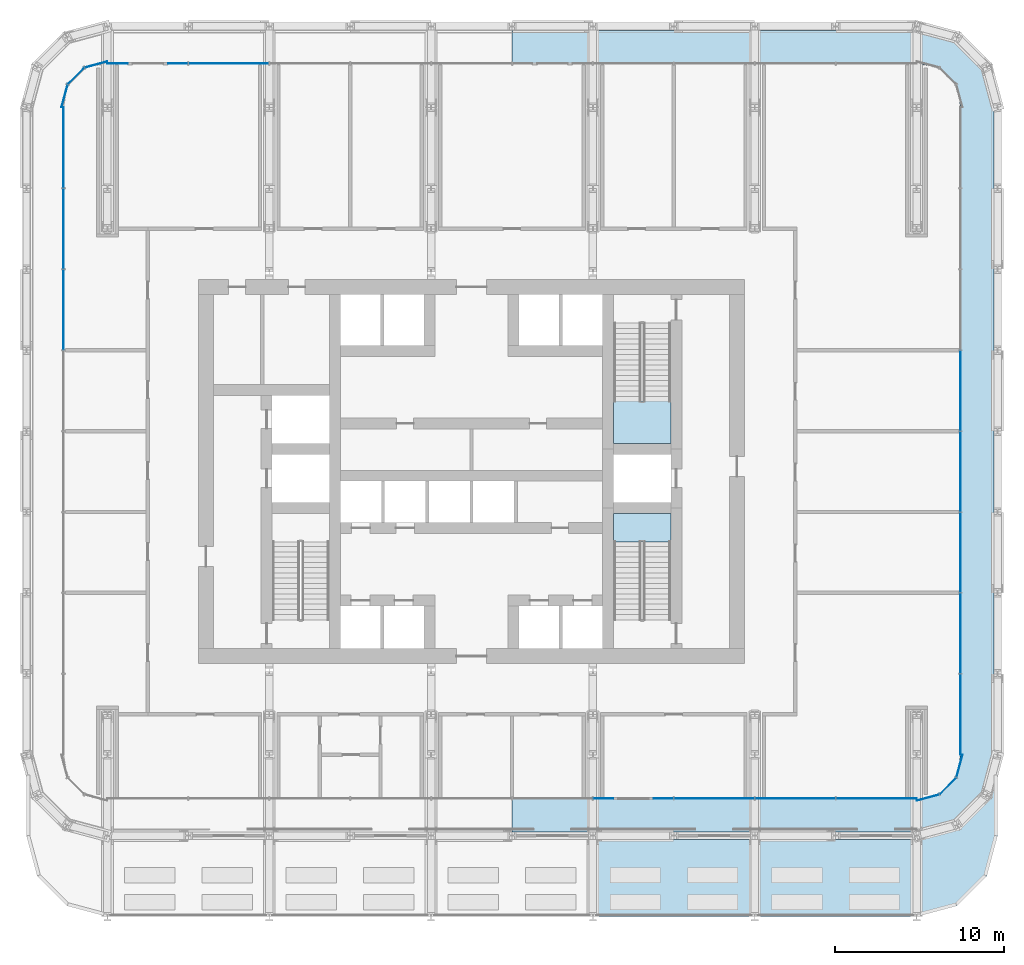
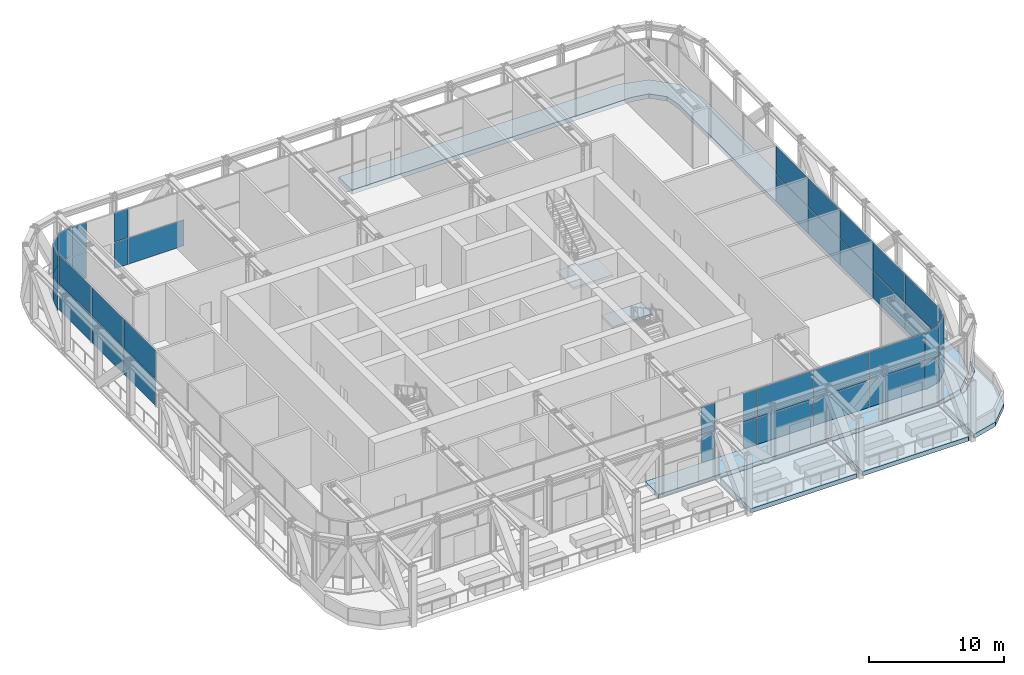
# One storey, part 13 of 23: 43 plates, 6 slabs, 8 elements without a shape of their own.
"""IFC4 building model written with IfcOpenShell, lengths in metres."""

from ifc_helpers import new_model, si_unit, direction, frame, origin, origin_2d, place, context, subcontext, project, spatial, polyline, rectangle, outline, extrude, material, layer, layer_set, type_object, element, aggregate, save


model = new_model("IFC4")

# Units and contexts
model_context = context("Model", 3, precision=1e-05, world=origin(), true_north=direction((0.0, 1.0)))
body_context = subcontext(model_context, "Body", "Model", "MODEL_VIEW")
ifc_project = project(units=[si_unit("LENGTHUNIT", "METRE"), si_unit("AREAUNIT", "SQUARE_METRE"), si_unit("VOLUMEUNIT", "CUBIC_METRE"), si_unit("PLANEANGLEUNIT", "RADIAN"), si_unit("MASSUNIT", "GRAM", prefix="KILO")], contexts=[model_context])

# Site, building, storey
site_placement = place(None, origin())
site = spatial("IfcSite", under=ifc_project, at=site_placement, CompositionType="ELEMENT")
building_placement = place(site_placement, origin())
building = spatial("IfcBuilding", under=site, at=building_placement, Name="Madar Terraces", CompositionType="ELEMENT")
storey_placement = place(building_placement, frame((0.0, 0.0, 83.800048828125)))
storey = spatial("IfcBuildingStorey", under=building, at=storey_placement, Name="L21", CompositionType="ELEMENT", Elevation=83.800048828125)

# Curtain wall, plates
ifc_material_1 = material(Name="Glass, ceramic frit dark grey, with black aluminium frame", Category="aluminium")
ifc_layer_1 = layer(ifc_material_1, 0.199951171875)
ifc_layer_set_1 = layer_set([ifc_layer_1], Name="Facade curtain wall, tall glazing")
curtain_wall_type = type_object("IfcCurtainWallType", Name="Facade curtain wall, tall glazing", PredefinedType="NOTDEFINED", material=ifc_layer_set_1)
curtain_wall_1_placement = place(storey_placement, origin())
curtain_wall_1 = element("IfcCurtainWall", 1, at=curtain_wall_1_placement, inside=storey, type_object=curtain_wall_type, Name="Outer skin curtain wall south bay 1", PredefinedType="NOTDEFINED")
ifc_material_2 = material(Name="Glass, ceramic frit dark grey", Category="glass")
ifc_layer_2 = layer(ifc_material_2, 0.028076171875)
ifc_layer_set_2 = layer_set([ifc_layer_2], Name="Facade glass panel 28")
plate_type = type_object("IfcPlateType", Name="Facade glass panel 28", PredefinedType="CURTAIN_PANEL", material=ifc_layer_set_2)
plate_1_placement = place(storey_placement, frame((39.014892578125, 7.0, 0.0), z_axis=(0.0, 0.0, 1.0), x_axis=(1.0, 0.0, 0.0)))
plate_1 = element("IfcPlate", 2, at=plate_1_placement, type_object=plate_type, Name="Panel 13", PredefinedType="CURTAIN_PANEL", context=body_context, shape_type="SweptSolid", body=[
    extrude(rectangle(XDim=1.169921875, YDim=0.028076171875, at=origin_2d()), origin(), (0.0, 0.0, 1.0), 2.3701171875),
])
plate_2_placement = place(storey_placement, frame((39.014892578125, 7.0, 2.4296875), z_axis=(0.0, 0.0, 1.0), x_axis=(1.0, 0.0, 0.0)))
plate_2 = element("IfcPlate", 3, at=plate_2_placement, type_object=plate_type, Name="Panel 14", PredefinedType="CURTAIN_PANEL", context=body_context, shape_type="SweptSolid", body=[
    extrude(rectangle(XDim=1.169921875, YDim=0.028076171875, at=origin_2d()), origin(), (0.0, 0.0, 1.0), 2.610107421875),
])
plate_3_placement = place(storey_placement, frame((42.5849609375, 7.0, 0.0), z_axis=(0.0, 0.0, 1.0), x_axis=(1.0, 0.0, 0.0)))
plate_3 = element("IfcPlate", 4, at=plate_3_placement, type_object=plate_type, Name="Panel 15", PredefinedType="CURTAIN_PANEL", context=body_context, shape_type="SweptSolid", body=[
    extrude(rectangle(XDim=1.169921875, YDim=0.028076171875, at=origin_2d()), origin(), (0.0, 0.0, 1.0), 2.3701171875),
])
plate_4_placement = place(storey_placement, frame((42.5849609375, 7.0, 2.4296875), z_axis=(0.0, 0.0, 1.0), x_axis=(1.0, 0.0, 0.0)))
plate_4 = element("IfcPlate", 5, at=plate_4_placement, type_object=plate_type, Name="Panel 16", PredefinedType="CURTAIN_PANEL", context=body_context, shape_type="SweptSolid", body=[
    extrude(rectangle(XDim=1.169921875, YDim=0.028076171875, at=origin_2d()), origin(), (0.0, 0.0, 1.0), 2.610107421875),
])
plate_5_placement = place(storey_placement, frame((45.60009765625, 7.0, 0.0), z_axis=(0.0, 0.0, 1.0), x_axis=(1.0, 0.0, 0.0)))
plate_5 = element("IfcPlate", 6, at=plate_5_placement, type_object=plate_type, Name="Panel 17", PredefinedType="CURTAIN_PANEL", context=body_context, shape_type="SweptSolid", body=[
    extrude(rectangle(XDim=4.739990234375, YDim=0.028076171875, at=origin_2d()), origin(), (0.0, 0.0, 1.0), 2.3701171875),
])
plate_6_placement = place(storey_placement, frame((45.60009765625, 7.0, 2.4296875), z_axis=(0.0, 0.0, 1.0), x_axis=(1.0, 0.0, 0.0)))
plate_6 = element("IfcPlate", 7, at=plate_6_placement, type_object=plate_type, Name="Panel 18", PredefinedType="CURTAIN_PANEL", context=body_context, shape_type="SweptSolid", body=[
    extrude(rectangle(XDim=4.739990234375, YDim=0.028076171875, at=origin_2d()), origin(), (0.0, 0.0, 1.0), 2.610107421875),
])
plate_7_placement = place(storey_placement, frame((50.39990234375, 7.0, 0.0), z_axis=(0.0, 0.0, 1.0), x_axis=(1.0, 0.0, 0.0)))
plate_7 = element("IfcPlate", 8, at=plate_7_placement, type_object=plate_type, Name="Panel 19", PredefinedType="CURTAIN_PANEL", context=body_context, shape_type="SweptSolid", body=[
    extrude(rectangle(XDim=4.739990234375, YDim=0.028076171875, at=origin_2d()), origin(), (0.0, 0.0, 1.0), 2.3701171875),
])
plate_8_placement = place(storey_placement, frame((50.39990234375, 7.0, 2.4296875), z_axis=(0.0, 0.0, 1.0), x_axis=(1.0, 0.0, 0.0)))
plate_8 = element("IfcPlate", 9, at=plate_8_placement, type_object=plate_type, Name="Panel 20", PredefinedType="CURTAIN_PANEL", context=body_context, shape_type="SweptSolid", body=[
    extrude(rectangle(XDim=4.739990234375, YDim=0.028076171875, at=origin_2d()), origin(), (0.0, 0.0, 1.0), 2.610107421875),
])
plate_9_placement = place(storey_placement, frame((55.215087890625, 7.0, 0.0), z_axis=(0.0, 0.0, 1.0), x_axis=(1.0, 0.0, 0.0)))
plate_9 = element("IfcPlate", 10, at=plate_9_placement, type_object=plate_type, Name="Panel 21", PredefinedType="CURTAIN_PANEL", context=body_context, shape_type="SweptSolid", body=[
    extrude(rectangle(XDim=4.77001953125, YDim=0.028076171875, at=origin_2d()), origin(), (0.0, 0.0, 1.0), 2.3701171875),
])
plate_10_placement = place(storey_placement, frame((55.215087890625, 7.0, 2.4296875), z_axis=(0.0, 0.0, 1.0), x_axis=(1.0, 0.0, 0.0)))
plate_10 = element("IfcPlate", 11, at=plate_10_placement, type_object=plate_type, Name="Panel 22", PredefinedType="CURTAIN_PANEL", context=body_context, shape_type="SweptSolid", body=[
    extrude(rectangle(XDim=4.77001953125, YDim=0.028076171875, at=origin_2d()), origin(), (0.0, 0.0, 1.0), 2.610107421875),
])
aggregate(curtain_wall_1, [plate_1, plate_2, plate_3, plate_4, plate_5, plate_6, plate_7, plate_8, plate_9, plate_10])

curtain_wall_2_placement = place(storey_placement, origin())
curtain_wall_2 = element("IfcCurtainWall", 12, at=curtain_wall_2_placement, inside=storey, type_object=curtain_wall_type, Name="Outer skin curtain wall east bay 1", PredefinedType="NOTDEFINED")
plate_11_placement = place(storey_placement, frame((60.199951171875, 11.985107421875, 0.0), z_axis=(0.0, 0.0, 1.0), x_axis=(0.0, 1.0, 0.0)))
plate_11 = element("IfcPlate", 13, at=plate_11_placement, type_object=plate_type, Name="Panel 1", PredefinedType="CURTAIN_PANEL", context=body_context, shape_type="SweptSolid", body=[
    extrude(rectangle(XDim=4.77001953125, YDim=0.028076171875, at=origin_2d()), origin(), (0.0, 0.0, 1.0), 2.3701171875),
])
plate_12_placement = place(storey_placement, frame((60.199951171875, 11.985107421875, 2.4296875), z_axis=(0.0, 0.0, 1.0), x_axis=(0.0, 1.0, 0.0)))
plate_12 = element("IfcPlate", 14, at=plate_12_placement, type_object=plate_type, Name="Panel 2", PredefinedType="CURTAIN_PANEL", context=body_context, shape_type="SweptSolid", body=[
    extrude(rectangle(XDim=4.77001953125, YDim=0.028076171875, at=origin_2d()), origin(), (0.0, 0.0, 1.0), 2.610107421875),
])
plate_13_placement = place(storey_placement, frame((60.199951171875, 16.800048828125, 0.0), z_axis=(0.0, 0.0, 1.0), x_axis=(0.0, 1.0, 0.0)))
plate_13 = element("IfcPlate", 15, at=plate_13_placement, type_object=plate_type, Name="Panel 3", PredefinedType="CURTAIN_PANEL", context=body_context, shape_type="SweptSolid", body=[
    extrude(rectangle(XDim=4.739990234375, YDim=0.028076171875, at=origin_2d()), origin(), (0.0, 0.0, 1.0), 2.3701171875),
])
plate_14_placement = place(storey_placement, frame((60.199951171875, 16.800048828125, 2.4296875), z_axis=(0.0, 0.0, 1.0), x_axis=(0.0, 1.0, 0.0)))
plate_14 = element("IfcPlate", 16, at=plate_14_placement, type_object=plate_type, Name="Panel 4", PredefinedType="CURTAIN_PANEL", context=body_context, shape_type="SweptSolid", body=[
    extrude(rectangle(XDim=4.739990234375, YDim=0.028076171875, at=origin_2d()), origin(), (0.0, 0.0, 1.0), 2.610107421875),
])
plate_15_placement = place(storey_placement, frame((60.199951171875, 21.60009765625, 0.0), z_axis=(0.0, 0.0, 1.0), x_axis=(0.0, 1.0, 0.0)))
plate_15 = element("IfcPlate", 17, at=plate_15_placement, type_object=plate_type, Name="Panel 5", PredefinedType="CURTAIN_PANEL", context=body_context, shape_type="SweptSolid", body=[
    extrude(rectangle(XDim=4.739990234375, YDim=0.028076171875, at=origin_2d()), origin(), (0.0, 0.0, 1.0), 2.3701171875),
])
plate_16_placement = place(storey_placement, frame((60.199951171875, 21.60009765625, 2.4296875), z_axis=(0.0, 0.0, 1.0), x_axis=(0.0, 1.0, 0.0)))
plate_16 = element("IfcPlate", 18, at=plate_16_placement, type_object=plate_type, Name="Panel 6", PredefinedType="CURTAIN_PANEL", context=body_context, shape_type="SweptSolid", body=[
    extrude(rectangle(XDim=4.739990234375, YDim=0.028076171875, at=origin_2d()), origin(), (0.0, 0.0, 1.0), 2.610107421875),
])
plate_17_placement = place(storey_placement, frame((60.199951171875, 26.39990234375, 0.0), z_axis=(0.0, 0.0, 1.0), x_axis=(0.0, 1.0, 0.0)))
plate_17 = element("IfcPlate", 19, at=plate_17_placement, type_object=plate_type, Name="Panel 7", PredefinedType="CURTAIN_PANEL", context=body_context, shape_type="SweptSolid", body=[
    extrude(rectangle(XDim=4.739990234375, YDim=0.028076171875, at=origin_2d()), origin(), (0.0, 0.0, 1.0), 2.3701171875),
])
plate_18_placement = place(storey_placement, frame((60.199951171875, 26.39990234375, 2.4296875), z_axis=(0.0, 0.0, 1.0), x_axis=(0.0, 1.0, 0.0)))
plate_18 = element("IfcPlate", 20, at=plate_18_placement, type_object=plate_type, Name="Panel 8", PredefinedType="CURTAIN_PANEL", context=body_context, shape_type="SweptSolid", body=[
    extrude(rectangle(XDim=4.739990234375, YDim=0.028076171875, at=origin_2d()), origin(), (0.0, 0.0, 1.0), 2.610107421875),
])
plate_19_placement = place(storey_placement, frame((60.199951171875, 31.199951171875, 0.0), z_axis=(0.0, 0.0, 1.0), x_axis=(0.0, 1.0, 0.0)))
plate_19 = element("IfcPlate", 21, at=plate_19_placement, type_object=plate_type, Name="Panel 9", PredefinedType="CURTAIN_PANEL", context=body_context, shape_type="SweptSolid", body=[
    extrude(rectangle(XDim=4.739990234375, YDim=0.028076171875, at=origin_2d()), origin(), (0.0, 0.0, 1.0), 2.3701171875),
])
plate_20_placement = place(storey_placement, frame((60.199951171875, 31.199951171875, 2.4296875), z_axis=(0.0, 0.0, 1.0), x_axis=(0.0, 1.0, 0.0)))
plate_20 = element("IfcPlate", 22, at=plate_20_placement, type_object=plate_type, Name="Panel 10", PredefinedType="CURTAIN_PANEL", context=body_context, shape_type="SweptSolid", body=[
    extrude(rectangle(XDim=4.739990234375, YDim=0.028076171875, at=origin_2d()), origin(), (0.0, 0.0, 1.0), 2.610107421875),
])
aggregate(curtain_wall_2, [plate_11, plate_12, plate_13, plate_14, plate_15, plate_16, plate_17, plate_18, plate_19, plate_20])

curtain_wall_3_placement = place(storey_placement, origin())
curtain_wall_3 = element("IfcCurtainWall", 23, at=curtain_wall_3_placement, inside=storey, type_object=curtain_wall_type, Name="Outer skin curtain wall north bay 1", PredefinedType="NOTDEFINED")
plate_21_placement = place(storey_placement, frame((16.800048828125, 50.60009765625, 0.0), z_axis=(0.0, 0.0, 1.0), x_axis=(-1.0, 0.0, 0.0)))
plate_21 = element("IfcPlate", 24, at=plate_21_placement, type_object=plate_type, Name="Panel 19", PredefinedType="CURTAIN_PANEL", context=body_context, shape_type="SweptSolid", body=[
    extrude(rectangle(XDim=4.739990234375, YDim=0.028076171875, at=origin_2d()), origin(), (0.0, 0.0, 1.0), 2.3701171875),
])
plate_22_placement = place(storey_placement, frame((13.784912109375, 50.60009765625, 0.0), z_axis=(0.0, 0.0, 1.0), x_axis=(-1.0, 0.0, 0.0)))
plate_22 = element("IfcPlate", 25, at=plate_22_placement, type_object=plate_type, Name="Panel 21", PredefinedType="CURTAIN_PANEL", context=body_context, shape_type="SweptSolid", body=[
    extrude(rectangle(XDim=1.169921875, YDim=0.028076171875, at=origin_2d()), origin(), (0.0, 0.0, 1.0), 2.3701171875),
])
plate_23_placement = place(storey_placement, frame((13.784912109375, 50.60009765625, 2.4296875), z_axis=(0.0, 0.0, 1.0), x_axis=(-1.0, 0.0, 0.0)))
plate_23 = element("IfcPlate", 26, at=plate_23_placement, type_object=plate_type, Name="Panel 22", PredefinedType="CURTAIN_PANEL", context=body_context, shape_type="SweptSolid", body=[
    extrude(rectangle(XDim=1.169921875, YDim=0.028076171875, at=origin_2d()), origin(), (0.0, 0.0, 1.0), 2.610107421875),
])
plate_24_placement = place(storey_placement, frame((10.199951171875, 50.60009765625, 0.0), z_axis=(0.0, 0.0, 1.0), x_axis=(-1.0, 0.0, 0.0)))
plate_24 = element("IfcPlate", 27, at=plate_24_placement, type_object=plate_type, Name="Panel 23", PredefinedType="CURTAIN_PANEL", context=body_context, shape_type="SweptSolid", body=[
    extrude(rectangle(XDim=1.199951171875, YDim=0.028076171875, at=origin_2d()), origin(), (0.0, 0.0, 1.0), 2.3701171875),
])
plate_25_placement = place(storey_placement, frame((10.199951171875, 50.60009765625, 2.4296875), z_axis=(0.0, 0.0, 1.0), x_axis=(-1.0, 0.0, 0.0)))
plate_25 = element("IfcPlate", 28, at=plate_25_placement, type_object=plate_type, Name="Panel 24", PredefinedType="CURTAIN_PANEL", context=body_context, shape_type="SweptSolid", body=[
    extrude(rectangle(XDim=1.199951171875, YDim=0.028076171875, at=origin_2d()), origin(), (0.0, 0.0, 1.0), 2.610107421875),
])
aggregate(curtain_wall_3, [plate_21, plate_22, plate_23, plate_24, plate_25])

curtain_wall_4_placement = place(storey_placement, origin())
curtain_wall_4 = element("IfcCurtainWall", 29, at=curtain_wall_4_placement, inside=storey, type_object=curtain_wall_type, Name="Outer skin curtain wall west bay 1", PredefinedType="NOTDEFINED")
plate_26_placement = place(storey_placement, frame((7.0, 45.614990234375, 0.0), z_axis=(0.0, 0.0, 1.0), x_axis=(0.0, -1.0, 0.0)))
plate_26 = element("IfcPlate", 30, at=plate_26_placement, type_object=plate_type, Name="Panel 1", PredefinedType="CURTAIN_PANEL", context=body_context, shape_type="SweptSolid", body=[
    extrude(rectangle(XDim=4.77001953125, YDim=0.028076171875, at=origin_2d()), origin(), (0.0, 0.0, 1.0), 2.3701171875),
])
plate_27_placement = place(storey_placement, frame((7.0, 45.614990234375, 2.4296875), z_axis=(0.0, 0.0, 1.0), x_axis=(0.0, -1.0, 0.0)))
plate_27 = element("IfcPlate", 31, at=plate_27_placement, type_object=plate_type, Name="Panel 2", PredefinedType="CURTAIN_PANEL", context=body_context, shape_type="SweptSolid", body=[
    extrude(rectangle(XDim=4.77001953125, YDim=0.028076171875, at=origin_2d()), origin(), (0.0, 0.0, 1.0), 2.610107421875),
])
plate_28_placement = place(storey_placement, frame((7.0, 40.800048828125, 0.0), z_axis=(0.0, 0.0, 1.0), x_axis=(0.0, -1.0, 0.0)))
plate_28 = element("IfcPlate", 32, at=plate_28_placement, type_object=plate_type, Name="Panel 3", PredefinedType="CURTAIN_PANEL", context=body_context, shape_type="SweptSolid", body=[
    extrude(rectangle(XDim=4.739990234375, YDim=0.028076171875, at=origin_2d()), origin(), (0.0, 0.0, 1.0), 2.3701171875),
])
plate_29_placement = place(storey_placement, frame((7.0, 40.800048828125, 2.4296875), z_axis=(0.0, 0.0, 1.0), x_axis=(0.0, -1.0, 0.0)))
plate_29 = element("IfcPlate", 33, at=plate_29_placement, type_object=plate_type, Name="Panel 4", PredefinedType="CURTAIN_PANEL", context=body_context, shape_type="SweptSolid", body=[
    extrude(rectangle(XDim=4.739990234375, YDim=0.028076171875, at=origin_2d()), origin(), (0.0, 0.0, 1.0), 2.610107421875),
])
plate_30_placement = place(storey_placement, frame((7.0, 36.0, 0.0), z_axis=(0.0, 0.0, 1.0), x_axis=(0.0, -1.0, 0.0)))
plate_30 = element("IfcPlate", 34, at=plate_30_placement, type_object=plate_type, Name="Panel 5", PredefinedType="CURTAIN_PANEL", context=body_context, shape_type="SweptSolid", body=[
    extrude(rectangle(XDim=4.739990234375, YDim=0.028076171875, at=origin_2d()), origin(), (0.0, 0.0, 1.0), 2.3701171875),
])
plate_31_placement = place(storey_placement, frame((7.0, 36.0, 2.4296875), z_axis=(0.0, 0.0, 1.0), x_axis=(0.0, -1.0, 0.0)))
plate_31 = element("IfcPlate", 35, at=plate_31_placement, type_object=plate_type, Name="Panel 6", PredefinedType="CURTAIN_PANEL", context=body_context, shape_type="SweptSolid", body=[
    extrude(rectangle(XDim=4.739990234375, YDim=0.028076171875, at=origin_2d()), origin(), (0.0, 0.0, 1.0), 2.610107421875),
])
aggregate(curtain_wall_4, [plate_26, plate_27, plate_28, plate_29, plate_30, plate_31])

curtain_wall_5_placement = place(storey_placement, origin())
curtain_wall_5 = element("IfcCurtainWall", 36, at=curtain_wall_5_placement, inside=storey, type_object=curtain_wall_type, Name="Outer skin curtain wall south-east corner", PredefinedType="NOTDEFINED")
plate_32_placement = place(storey_placement, frame((58.265625, 7.058349609375, 0.0), z_axis=(0.0, 0.0, 1.0), x_axis=(0.965925808834, 0.258819110244, 0.0)))
plate_32 = element("IfcPlate", 37, at=plate_32_placement, type_object=plate_type, Name="Panel 1", PredefinedType="CURTAIN_PANEL", context=body_context, shape_type="SweptSolid", body=[
    extrude(rectangle(XDim=1.3779296875, YDim=0.028076171875, at=origin_2d()), origin(), (0.0, 0.0, 1.0), 2.3701171875),
])
plate_33_placement = place(storey_placement, frame((58.265625, 7.058349609375, 2.4296875), z_axis=(0.0, 0.0, 1.0), x_axis=(0.965925808834, 0.258819110244, 0.0)))
plate_33 = element("IfcPlate", 38, at=plate_33_placement, type_object=plate_type, Name="Panel 2", PredefinedType="CURTAIN_PANEL", context=body_context, shape_type="SweptSolid", body=[
    extrude(rectangle(XDim=1.3779296875, YDim=0.028076171875, at=origin_2d()), origin(), (0.0, 0.0, 1.0), 2.610107421875),
])
plate_34_placement = place(storey_placement, frame((59.457763671875, 7.7421875, 0.0), z_axis=(0.0, 0.0, 1.0), x_axis=(0.707106781187, 0.707106781187, 0.0)))
plate_34 = element("IfcPlate", 39, at=plate_34_placement, type_object=plate_type, Name="Panel 3", PredefinedType="CURTAIN_PANEL", context=body_context, shape_type="SweptSolid", body=[
    extrude(rectangle(XDim=1.347900390625, YDim=0.028076171875, at=origin_2d()), origin(), (0.0, 0.0, 1.0), 2.3701171875),
])
plate_35_placement = place(storey_placement, frame((59.457763671875, 7.7421875, 2.4296875), z_axis=(0.0, 0.0, 1.0), x_axis=(0.707106781187, 0.707106781187, 0.0)))
plate_35 = element("IfcPlate", 40, at=plate_35_placement, type_object=plate_type, Name="Panel 4", PredefinedType="CURTAIN_PANEL", context=body_context, shape_type="SweptSolid", body=[
    extrude(rectangle(XDim=1.347900390625, YDim=0.028076171875, at=origin_2d()), origin(), (0.0, 0.0, 1.0), 2.610107421875),
])
plate_36_placement = place(storey_placement, frame((60.1416015625, 8.9345703125, 0.0), z_axis=(0.0, 0.0, 1.0), x_axis=(0.258819110244, 0.965925808834, 0.0)))
plate_36 = element("IfcPlate", 41, at=plate_36_placement, type_object=plate_type, Name="Panel 5", PredefinedType="CURTAIN_PANEL", context=body_context, shape_type="SweptSolid", body=[
    extrude(rectangle(XDim=1.3779296875, YDim=0.028076171875, at=origin_2d()), origin(), (0.0, 0.0, 1.0), 2.3701171875),
])
plate_37_placement = place(storey_placement, frame((60.1416015625, 8.9345703125, 2.4296875), z_axis=(0.0, 0.0, 1.0), x_axis=(0.258819110244, 0.965925808834, 0.0)))
plate_37 = element("IfcPlate", 42, at=plate_37_placement, type_object=plate_type, Name="Panel 6", PredefinedType="CURTAIN_PANEL", context=body_context, shape_type="SweptSolid", body=[
    extrude(rectangle(XDim=1.3779296875, YDim=0.028076171875, at=origin_2d()), origin(), (0.0, 0.0, 1.0), 2.610107421875),
])
aggregate(curtain_wall_5, [plate_32, plate_33, plate_34, plate_35, plate_36, plate_37])

curtain_wall_6_placement = place(storey_placement, origin())
curtain_wall_6 = element("IfcCurtainWall", 43, at=curtain_wall_6_placement, inside=storey, type_object=curtain_wall_type, Name="Outer skin curtain wall north-west corner", PredefinedType="NOTDEFINED")
plate_38_placement = place(storey_placement, frame((8.9345703125, 50.541748046875, 0.0), z_axis=(0.0, 0.0, 1.0), x_axis=(-0.965925808834, -0.258819110244, 0.0)))
plate_38 = element("IfcPlate", 44, at=plate_38_placement, type_object=plate_type, Name="Panel 1", PredefinedType="CURTAIN_PANEL", context=body_context, shape_type="SweptSolid", body=[
    extrude(rectangle(XDim=1.3779296875, YDim=0.028076171875, at=origin_2d()), origin(), (0.0, 0.0, 1.0), 2.3701171875),
])
plate_39_placement = place(storey_placement, frame((8.9345703125, 50.541748046875, 2.4296875), z_axis=(0.0, 0.0, 1.0), x_axis=(-0.965925808834, -0.258819110244, 0.0)))
plate_39 = element("IfcPlate", 45, at=plate_39_placement, type_object=plate_type, Name="Panel 2", PredefinedType="CURTAIN_PANEL", context=body_context, shape_type="SweptSolid", body=[
    extrude(rectangle(XDim=1.3779296875, YDim=0.028076171875, at=origin_2d()), origin(), (0.0, 0.0, 1.0), 2.610107421875),
])
plate_40_placement = place(storey_placement, frame((7.7421875, 49.85791015625, 0.0), z_axis=(0.0, 0.0, 1.0), x_axis=(-0.707106781187, -0.707106781187, 0.0)))
plate_40 = element("IfcPlate", 46, at=plate_40_placement, type_object=plate_type, Name="Panel 3", PredefinedType="CURTAIN_PANEL", context=body_context, shape_type="SweptSolid", body=[
    extrude(rectangle(XDim=1.347900390625, YDim=0.028076171875, at=origin_2d()), origin(), (0.0, 0.0, 1.0), 2.3701171875),
])
plate_41_placement = place(storey_placement, frame((7.7421875, 49.85791015625, 2.4296875), z_axis=(0.0, 0.0, 1.0), x_axis=(-0.707106781187, -0.707106781187, 0.0)))
plate_41 = element("IfcPlate", 47, at=plate_41_placement, type_object=plate_type, Name="Panel 4", PredefinedType="CURTAIN_PANEL", context=body_context, shape_type="SweptSolid", body=[
    extrude(rectangle(XDim=1.347900390625, YDim=0.028076171875, at=origin_2d()), origin(), (0.0, 0.0, 1.0), 2.610107421875),
])
plate_42_placement = place(storey_placement, frame((7.058349609375, 48.66552734375, 0.0), z_axis=(0.0, 0.0, 1.0), x_axis=(-0.258819110244, -0.965925808834, 0.0)))
plate_42 = element("IfcPlate", 48, at=plate_42_placement, type_object=plate_type, Name="Panel 5", PredefinedType="CURTAIN_PANEL", context=body_context, shape_type="SweptSolid", body=[
    extrude(rectangle(XDim=1.3779296875, YDim=0.028076171875, at=origin_2d()), origin(), (0.0, 0.0, 1.0), 2.3701171875),
])
plate_43_placement = place(storey_placement, frame((7.058349609375, 48.66552734375, 2.4296875), z_axis=(0.0, 0.0, 1.0), x_axis=(-0.258819110244, -0.965925808834, 0.0)))
plate_43 = element("IfcPlate", 49, at=plate_43_placement, type_object=plate_type, Name="Panel 6", PredefinedType="CURTAIN_PANEL", context=body_context, shape_type="SweptSolid", body=[
    extrude(rectangle(XDim=1.3779296875, YDim=0.028076171875, at=origin_2d()), origin(), (0.0, 0.0, 1.0), 2.610107421875),
])
aggregate(curtain_wall_6, [plate_38, plate_39, plate_40, plate_41, plate_42, plate_43])

# Stair, slab
ifc_material_3 = material(Name="Concrete C50/60", Category="concrete")
stair_type_1 = type_object("IfcStairType", Name="Stair ST2 protected exit", PredefinedType="HALF_TURN_STAIR", material=ifc_material_3)
stair_1_placement = place(storey_placement, origin())
stair_1 = element("IfcStair", 50, at=stair_1_placement, inside=storey, type_object=stair_type_1, Name="L21 Protected Exit Stair ST2", PredefinedType="HALF_TURN_STAIR")
ifc_material_4 = material(Name="Concrete C50/60", Category="concrete")
ifc_layer_3 = layer(ifc_material_4, 0.199951171875)
ifc_layer_set_3 = layer_set([ifc_layer_3], Name="Stair landing 200, top +2.70")
slab_type_1 = type_object("IfcSlabType", Name="Stair landing 200, top +2.70", PredefinedType="LANDING", material=ifc_layer_set_3)
slab_1_placement = place(storey_placement, frame((0.0, 0.0, 2.5)))
slab_1 = element("IfcSlab", 51, at=slab_1_placement, type_object=slab_type_1, Name="ST2 landing 1", PredefinedType="LANDING", context=body_context, shape_type="SweptSolid", body=[
    extrude(outline(polyline([(39.625, 28.074951171875), (43.02490234375, 28.074951171875), (43.02490234375, 30.580078125), (39.625, 30.580078125), (39.625, 28.074951171875)])), origin(), (0.0, 0.0, 1.0), 0.199951171875),
])
aggregate(stair_1, [slab_1])

ifc_material_5 = material(Name="Concrete C50/60", Category="concrete")
stair_type_2 = type_object("IfcStairType", Name="Stair ST3 protected exit", PredefinedType="HALF_TURN_STAIR", material=ifc_material_5)
stair_2_placement = place(storey_placement, origin())
stair_2 = element("IfcStair", 52, at=stair_2_placement, inside=storey, type_object=stair_type_2, Name="L21 Protected Exit Stair ST3", PredefinedType="HALF_TURN_STAIR")
slab_2_placement = place(storey_placement, frame((0.0, 0.0, 2.5)))
slab_2 = element("IfcSlab", 53, at=slab_2_placement, type_object=slab_type_1, Name="ST3 landing 1", PredefinedType="LANDING", context=body_context, shape_type="SweptSolid", body=[
    extrude(outline(polyline([(39.625, 22.219970703125), (43.02490234375, 22.219970703125), (43.02490234375, 23.925048828125), (39.625, 23.925048828125), (39.625, 22.219970703125)])), origin(), (0.0, 0.0, 1.0), 0.199951171875),
])
aggregate(stair_2, [slab_2])

# Slabs
ifc_material_6 = material(Name="Concrete C50/60", Category="concrete")
ifc_layer_4 = layer(ifc_material_6, 0.39990234375)
ifc_layer_set_4 = layer_set([ifc_layer_4], Name="TS1 PT terrace slab 400")
slab_type_2 = type_object("IfcSlabType", Name="TS1 PT terrace slab 400", PredefinedType="FLOOR", material=ifc_layer_set_4)
slab_3_placement = place(storey_placement, frame((0.0, 0.0, -0.400146484375)))
element("IfcSlab", 54, at=slab_3_placement, inside=storey, type_object=slab_type_2, Name="Gallery slab L21 (2)", PredefinedType="FLOOR", context=body_context, shape_type="SweptSolid", body=[
    extrude(outline(polyline([(33.60009765625, 52.5751953125), (33.60009765625, 50.60009765625), (57.60009765625, 50.60009765625), (58.9599609375, 50.35546875), (59.95556640625, 49.360107421875), (60.199951171875, 48.0), (60.199951171875, 9.60009765625), (59.95556640625, 8.239990234375), (58.9599609375, 7.244384765625), (57.60009765625, 7.0), (33.60009765625, 7.0), (33.60009765625, 5.02490234375), (57.5703125, 5.02490234375), (59.883544921875, 5.64453125), (61.555419921875, 7.31640625), (62.17529296875, 9.629638671875), (62.17529296875, 47.970458984375), (61.555419921875, 50.28369140625), (59.883544921875, 51.955322265625), (57.5703125, 52.5751953125), (33.60009765625, 52.5751953125)])), origin(), (0.0, 0.0, 1.0), 0.400146484375),
])
slab_4_placement = place(storey_placement, frame((0.0, 0.0, -0.400146484375)))
element("IfcSlab", 55, at=slab_4_placement, inside=storey, type_object=slab_type_2, Name="Terrace roof slab L21 (5)", PredefinedType="FLOOR", context=body_context, shape_type="SweptSolid", body=[
    extrude(outline(polyline([(38.6650390625, 0.0009765625), (38.669921875, 0.000244140625), (38.6748046875, 0.0), (47.72509765625, 0.0), (47.730224609375, 0.000244140625), (47.73486328125, 0.0009765625), (47.73974609375, 0.002197265625), (47.744384765625, 0.00390625), (47.748779296875, 0.005859375), (47.7529296875, 0.008544921875), (47.7568359375, 0.01123046875), (47.760498046875, 0.0146484375), (47.763916015625, 0.018310546875), (47.766845703125, 0.022216796875), (47.769287109375, 0.0263671875), (47.771484375, 0.03076171875), (47.77294921875, 0.035400390625), (47.774169921875, 0.040283203125), (47.77490234375, 0.045166015625), (47.775146484375, 0.050048828125), (47.775146484375, 4.525146484375), (47.77490234375, 4.530029296875), (47.774169921875, 4.534912109375), (47.77294921875, 4.539794921875), (47.771484375, 4.54443359375), (47.769287109375, 4.548828125), (47.766845703125, 4.552978515625), (47.763916015625, 4.556884765625), (47.760498046875, 4.560546875), (47.7568359375, 4.56396484375), (47.7529296875, 4.56689453125), (47.748779296875, 4.5693359375), (47.744384765625, 4.5712890625), (47.73974609375, 4.572998046875), (47.73486328125, 4.57421875), (47.730224609375, 4.574951171875), (47.72509765625, 4.5751953125), (38.6748046875, 4.5751953125), (38.669921875, 4.574951171875), (38.6650390625, 4.57421875), (38.66015625, 4.572998046875), (38.65576171875, 4.5712890625), (38.651123046875, 4.5693359375), (38.64697265625, 4.56689453125), (38.64306640625, 4.56396484375), (38.639404296875, 4.560546875), (38.63623046875, 4.556884765625), (38.63330078125, 4.552978515625), (38.630615234375, 4.548828125), (38.628662109375, 4.54443359375), (38.626953125, 4.539794921875), (38.625732421875, 4.534912109375), (38.625, 4.530029296875), (38.624755859375, 4.525146484375), (38.624755859375, 0.050048828125), (38.625, 0.045166015625), (38.625732421875, 0.040283203125), (38.626953125, 0.035400390625), (38.628662109375, 0.03076171875), (38.630615234375, 0.0263671875), (38.63330078125, 0.022216796875), (38.63623046875, 0.018310546875), (38.639404296875, 0.0146484375), (38.64306640625, 0.01123046875), (38.64697265625, 0.008544921875), (38.651123046875, 0.005859375), (38.65576171875, 0.00390625), (38.66015625, 0.002197265625), (38.6650390625, 0.0009765625)])), origin(), (0.0, 0.0, 1.0), 0.400146484375),
])
slab_5_placement = place(storey_placement, frame((0.0, 0.0, -0.400146484375)))
element("IfcSlab", 56, at=slab_5_placement, inside=storey, type_object=slab_type_2, Name="Terrace roof slab L21 (6)", PredefinedType="FLOOR", context=body_context, shape_type="SweptSolid", body=[
    extrude(outline(polyline([(48.26513671875, 0.0009765625), (48.269775390625, 0.000244140625), (48.27490234375, 0.0), (57.3251953125, 0.0), (57.330078125, 0.000244140625), (57.3349609375, 0.0009765625), (57.33984375, 0.002197265625), (57.34423828125, 0.00390625), (57.348876953125, 0.005859375), (57.35302734375, 0.008544921875), (57.35693359375, 0.01123046875), (57.360595703125, 0.0146484375), (57.36376953125, 0.018310546875), (57.36669921875, 0.022216796875), (57.369384765625, 0.0263671875), (57.371337890625, 0.03076171875), (57.373046875, 0.035400390625), (57.374267578125, 0.040283203125), (57.375, 0.045166015625), (57.375244140625, 0.050048828125), (57.375244140625, 4.525146484375), (57.375, 4.530029296875), (57.374267578125, 4.534912109375), (57.373046875, 4.539794921875), (57.371337890625, 4.54443359375), (57.369384765625, 4.548828125), (57.36669921875, 4.552978515625), (57.36376953125, 4.556884765625), (57.360595703125, 4.560546875), (57.35693359375, 4.56396484375), (57.35302734375, 4.56689453125), (57.348876953125, 4.5693359375), (57.34423828125, 4.5712890625), (57.33984375, 4.572998046875), (57.3349609375, 4.57421875), (57.330078125, 4.574951171875), (57.3251953125, 4.5751953125), (48.27490234375, 4.5751953125), (48.269775390625, 4.574951171875), (48.26513671875, 4.57421875), (48.26025390625, 4.572998046875), (48.255615234375, 4.5712890625), (48.251220703125, 4.5693359375), (48.2470703125, 4.56689453125), (48.2431640625, 4.56396484375), (48.239501953125, 4.560546875), (48.236083984375, 4.556884765625), (48.233154296875, 4.552978515625), (48.230712890625, 4.548828125), (48.228515625, 4.54443359375), (48.22705078125, 4.539794921875), (48.225830078125, 4.534912109375), (48.22509765625, 4.530029296875), (48.224853515625, 4.525146484375), (48.224853515625, 0.050048828125), (48.22509765625, 0.045166015625), (48.225830078125, 0.040283203125), (48.22705078125, 0.035400390625), (48.228515625, 0.03076171875), (48.230712890625, 0.0263671875), (48.233154296875, 0.022216796875), (48.236083984375, 0.018310546875), (48.239501953125, 0.0146484375), (48.2431640625, 0.01123046875), (48.2470703125, 0.008544921875), (48.251220703125, 0.005859375), (48.255615234375, 0.00390625), (48.26025390625, 0.002197265625), (48.26513671875, 0.0009765625)])), origin(), (0.0, 0.0, 1.0), 0.400146484375),
])
slab_6_placement = place(storey_placement, frame((0.0, 0.0, -0.400146484375)))
element("IfcSlab", 57, at=slab_6_placement, inside=storey, type_object=slab_type_2, Name="Terrace roof slab L21 (7)", PredefinedType="FLOOR", context=body_context, shape_type="SweptSolid", body=[
    extrude(outline(polyline([(61.95751953125, 7.082763671875), (60.1171875, 5.242431640625), (60.1162109375, 5.24169921875), (60.114990234375, 5.2412109375), (57.86181640625, 4.637451171875), (57.857177734375, 4.635986328125), (57.8525390625, 4.6337890625), (57.84814453125, 4.63134765625), (57.843994140625, 4.62841796875), (57.840087890625, 4.625244140625), (57.836669921875, 4.62158203125), (57.833740234375, 4.617431640625), (57.8310546875, 4.61328125), (57.828857421875, 4.608642578125), (57.8271484375, 4.60400390625), (57.82568359375, 4.59912109375), (57.824951171875, 4.59423828125), (57.82470703125, 4.589111328125), (57.82470703125, 0.12548828125), (57.824951171875, 0.12060546875), (57.82568359375, 0.11572265625), (57.826904296875, 0.111083984375), (57.828369140625, 0.106689453125), (57.83056640625, 0.102294921875), (57.8330078125, 0.09814453125), (57.835693359375, 0.09423828125), (57.8388671875, 0.090576171875), (57.842529296875, 0.087158203125), (57.84619140625, 0.084228515625), (57.850341796875, 0.081787109375), (57.854736328125, 0.07958984375), (57.859130859375, 0.077880859375), (57.86376953125, 0.07666015625), (57.86865234375, 0.07568359375), (57.873291015625, 0.075439453125), (57.878173828125, 0.075439453125), (57.883056640625, 0.076171875), (57.8876953125, 0.0771484375), (59.987060546875, 0.6396484375), (59.991943359375, 0.64111328125), (59.996826171875, 0.643310546875), (60.00146484375, 0.64599609375), (60.005615234375, 0.649169921875), (60.009521484375, 0.652587890625), (61.74755859375, 2.390625), (61.7509765625, 2.39453125), (61.75390625, 2.398681640625), (61.756591796875, 2.403076171875), (61.7587890625, 2.407958984375), (61.760498046875, 2.412841796875), (62.398193359375, 4.793701171875), (62.399169921875, 4.7978515625), (62.39990234375, 4.80224609375), (62.39990234375, 4.806640625), (62.39990234375, 8.351806640625), (62.399658203125, 8.356689453125), (62.39892578125, 8.361572265625), (62.397705078125, 8.366455078125), (62.39599609375, 8.37109375), (62.39404296875, 8.37548828125), (62.391357421875, 8.379638671875), (62.388427734375, 8.3837890625), (62.385009765625, 8.387451171875), (62.38134765625, 8.390625), (62.377197265625, 8.3935546875), (62.373046875, 8.39599609375), (62.368408203125, 8.398193359375), (62.36376953125, 8.399658203125), (62.35888671875, 8.40087890625), (62.35400390625, 8.401611328125), (62.34912109375, 8.401611328125), (62.34423828125, 8.4013671875), (62.33935546875, 8.400634765625), (62.33447265625, 8.399169921875), (62.329833984375, 8.3974609375), (62.325439453125, 8.395263671875), (62.3212890625, 8.392578125), (62.3173828125, 8.389404296875), (62.313720703125, 8.385986328125), (62.310546875, 8.38232421875), (62.3076171875, 8.378173828125), (62.30517578125, 8.3740234375), (62.30322265625, 8.369384765625), (62.3017578125, 8.36474609375), (61.958740234375, 7.0849609375), (61.95849609375, 7.083740234375), (61.95751953125, 7.082763671875)])), origin(), (0.0, 0.0, 1.0), 0.400146484375),
])

save(model, "model.ifc")
